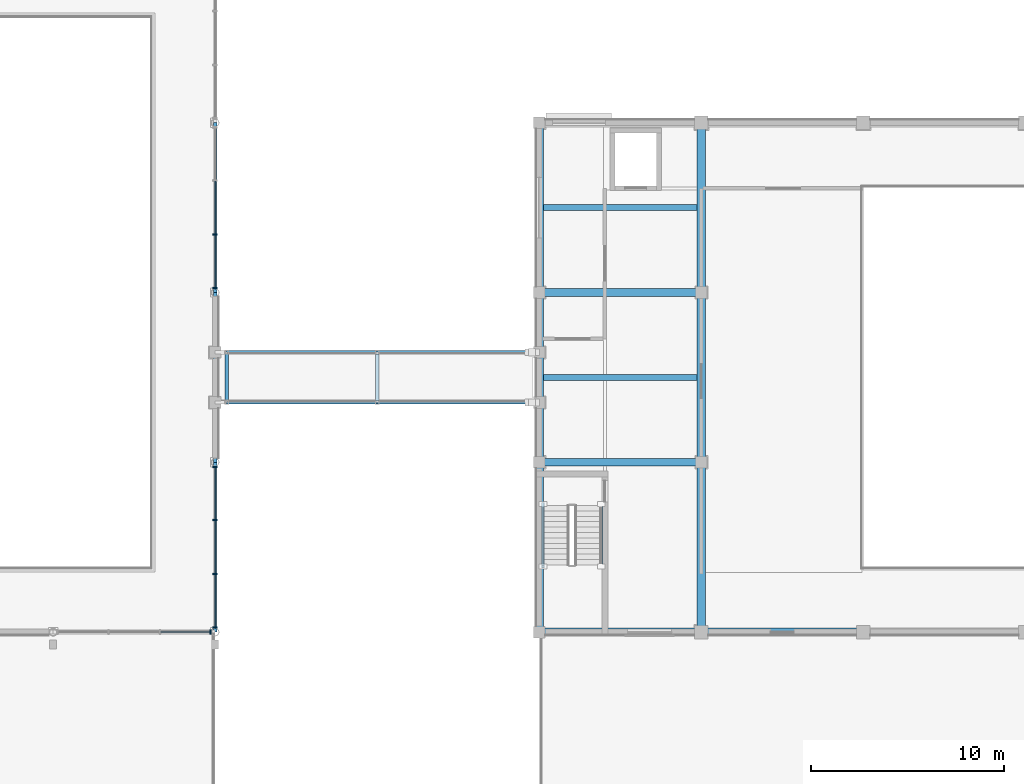
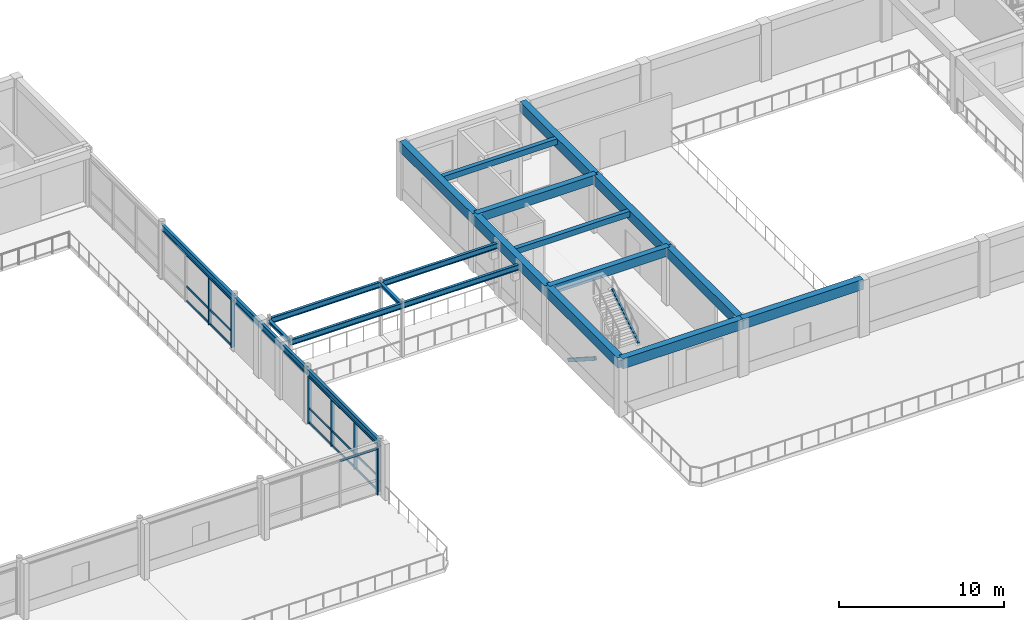
# One storey, part 13 of 57: 25 members, 21 beams, 3 elements without a shape of their own.
"""IFC4 building model written with IfcOpenShell, lengths in metres."""

import ifcopenshell
import ifcopenshell.guid

model = None  # the IFC model being written
_history = None  # IfcOwnerHistory: only IFC2X3 demands one
_inside = {}  # id of a spatial element -> (the spatial element, [elements in it])
_under = {}  # id of a project, library or spatial element -> (it, [spatial elements below it])
_declared = {}  # id of a project -> (the project, [libraries it declares])
_typed = {}  # id of a type object -> (the type object, [elements of that type])
_made_of = {}  # id of a material, layer set ... -> (it, [elements and type objects made of it])


def new_model(schema):
    """Start an empty IFC model of exactly this schema.

    Asked for "IFC4X3", IfcOpenShell would pick the latest addendum, in which some entities
    have other attributes; the version numbers below select the first issue.
    IFC2X3 requires an IfcOwnerHistory on every rooted entity: one is made here for all.
    """
    global model, _history
    if schema == "IFC4X3":
        model = ifcopenshell.file(schema_version=(4, 3, 0, 0))
    else:
        model = ifcopenshell.file(schema=schema)
    _inside.clear()
    _under.clear()
    _declared.clear()
    _typed.clear()
    _made_of.clear()
    _history = None
    if model.schema == "IFC2X3":
        org = make("IfcOrganization", Name="unknown")
        user = make(
            "IfcPersonAndOrganization",
            ThePerson=make("IfcPerson", FamilyName="unknown"),
            TheOrganization=org,
        )
        app = make(
            "IfcApplication",
            ApplicationDeveloper=org,
            Version="unknown",
            ApplicationFullName="unknown",
            ApplicationIdentifier="unknown",
        )
        _history = make(
            "IfcOwnerHistory",
            OwningUser=user,
            OwningApplication=app,
            ChangeAction="ADDED",
            CreationDate=0,
        )
    return model


def make(cls, **values):
    """One entity of the class cls with the attributes given. An attribute that is None is left unset."""
    return model.create_entity(
        cls, **{name: value for name, value in values.items() if value is not None}
    )


def rooted(cls, **values):
    """An entity with a GlobalId (a new one), such as an element, a storey or a relation."""
    return make(cls, GlobalId=ifcopenshell.guid.new(), OwnerHistory=_history, **values)


def si_unit(unit_type, name, prefix=None):
    """IfcSIUnit, for example si_unit("LENGTHUNIT", "METRE", prefix="MILLI")."""
    return make("IfcSIUnit", UnitType=unit_type, Prefix=prefix, Name=name)


def assignment(units):
    """IfcUnitAssignment: the units of a project."""
    return None if units is None else make("IfcUnitAssignment", Units=units)


def point(xyz):
    """IfcCartesianPoint."""
    return None if xyz is None else make("IfcCartesianPoint", Coordinates=xyz)


def direction(xyz):
    """IfcDirection."""
    return None if xyz is None else make("IfcDirection", DirectionRatios=xyz)


def frame(location, z_axis=None, x_axis=None):
    """IfcAxis2Placement3D, a coordinate frame: its origin and axes. An axis left out is left unset."""
    return make(
        "IfcAxis2Placement3D",
        Location=point(location),
        Axis=direction(z_axis),
        RefDirection=direction(x_axis),
    )


def frame_2d(location, x_axis=None):
    """IfcAxis2Placement2D, a coordinate frame in the plane: its origin and x axis."""
    return make(
        "IfcAxis2Placement2D", Location=point(location), RefDirection=direction(x_axis)
    )


def origin():
    """The frame at (0, 0, 0) with its axes left unset."""
    return frame((0.0, 0.0, 0.0))


def origin_2d():
    """The frame at (0, 0) in the plane with its x axis left unset."""
    return frame_2d((0.0, 0.0))


def place(relative_to, where):
    """IfcLocalPlacement: puts the frame where relative to a parent placement (None: the world)."""
    return make(
        "IfcLocalPlacement", PlacementRelTo=relative_to, RelativePlacement=where
    )


def context(
    kind, dimensions, precision=None, world=None, true_north=None, identifier=None
):
    """IfcGeometricRepresentationContext, for example the 3D "Model" context."""
    return make(
        "IfcGeometricRepresentationContext",
        ContextIdentifier=identifier,
        ContextType=kind,
        CoordinateSpaceDimension=dimensions,
        Precision=precision,
        WorldCoordinateSystem=world,
        TrueNorth=true_north,
    )


def subcontext(parent, identifier, kind, view, scale=None):
    """IfcGeometricRepresentationSubContext, for example "Body" below "Model"."""
    return make(
        "IfcGeometricRepresentationSubContext",
        ContextIdentifier=identifier,
        ContextType=kind,
        ParentContext=parent,
        TargetScale=scale,
        TargetView=view,
    )


def project(units=None, contexts=None):
    """IfcProject with its units and contexts."""
    return rooted(
        "IfcProject",
        Name="project",
        RepresentationContexts=contexts,
        UnitsInContext=assignment(units),
    )


def spatial(cls, under=None, at=None, **own):
    """A site, building, storey or space (cls), placed at a placement, below another one or the project."""
    s = rooted(cls, ObjectPlacement=at, **own)
    if under is not None:
        _under.setdefault(under.id(), (under, []))[1].append(s)
    return s


def profile(cls, at=None, kind="AREA", **sizes):
    """A parametric profile (cls). Its sizes go by their IFC names, for example OverallWidth=200.0."""
    return make(cls, ProfileType=kind, Position=at, **sizes)


def rectangle(**sizes):
    """IfcRectangleProfileDef."""
    return profile("IfcRectangleProfileDef", **sizes)


def hollow_rectangle(**sizes):
    """IfcRectangleHollowProfileDef."""
    return profile("IfcRectangleHollowProfileDef", **sizes)


def i_section(**sizes):
    """IfcIShapeProfileDef."""
    return profile("IfcIShapeProfileDef", **sizes)


def extrude(swept, where, along, depth):
    """IfcExtrudedAreaSolid: the profile swept, set in the frame where, extruded along a direction by depth."""
    return make(
        "IfcExtrudedAreaSolid",
        SweptArea=swept,
        Position=where,
        ExtrudedDirection=direction(along),
        Depth=depth,
    )


def shape(context_of_items, identifier, shape_type, items):
    """IfcShapeRepresentation: the items that make up one representation, for example the "Body"."""
    return make(
        "IfcShapeRepresentation",
        ContextOfItems=context_of_items,
        RepresentationIdentifier=identifier,
        RepresentationType=shape_type,
        Items=items,
    )


def material(Name=None, Category=None):
    """IfcMaterial."""
    return make("IfcMaterial", Name=Name, Category=Category)


def material_profile(
    of_material, cross_section, Name=None, Category=None, Priority=None
):
    """IfcMaterialProfile: a cross section and its material."""
    return make(
        "IfcMaterialProfile",
        Name=Name,
        Material=of_material,
        Profile=cross_section,
        Priority=Priority,
        Category=Category,
    )


def profile_set(profiles, Name=None, composite=None):
    """IfcMaterialProfileSet."""
    return make(
        "IfcMaterialProfileSet",
        Name=Name,
        MaterialProfiles=profiles,
        CompositeProfile=composite,
    )


def made_of(thing, what):
    """Note that an element or type object is made of a material, layer set ...; save() writes the relation."""
    if what is not None:
        _made_of.setdefault(what.id(), (what, []))[1].append(thing)
    return thing


def type_object(cls, material=None, **own):
    """A type object (cls), such as IfcWallType, which elements share."""
    return made_of(rooted(cls, **own), material)


def element(
    cls,
    number,
    at=None,
    inside=None,
    cuts=None,
    type_object=None,
    material=None,
    context=None,
    identifier="Body",
    shape_type=None,
    held_by="IfcProductDefinitionShape",
    body=None,
    shapes=None,
    **own,
):
    """One element of the class cls, such as IfcWall. Its Tag is "e" and its number.

    at: its placement. inside: the storey or other place that contains it. cuts: it is an
    opening in that element (IfcRelVoidsElement). A single representation is given by context,
    identifier, shape_type and body (its items); several are given by shapes. held_by: the class
    of the entity that holds the representations. save() writes the other relations.
    """
    e = rooted(cls, Tag="e%d" % number, ObjectPlacement=at, **own)
    if body is not None:
        shapes = [shape(context, identifier, shape_type, body)]
    if shapes is not None:
        e.Representation = make(held_by, Representations=shapes)
    if inside is not None:
        _inside.setdefault(inside.id(), (inside, []))[1].append(e)
    if cuts is not None:
        rooted(
            "IfcRelVoidsElement", RelatingBuildingElement=cuts, RelatedOpeningElement=e
        )
    if type_object is not None:
        _typed.setdefault(type_object.id(), (type_object, []))[1].append(e)
    return made_of(e, material)


def aggregate(whole, parts):
    """IfcRelAggregates: a whole, such as a stair, and the parts it consists of."""
    return rooted("IfcRelAggregates", RelatingObject=whole, RelatedObjects=parts)


def save(model, path):
    """Write the relations noted so far, then the file.

    IfcRelAggregates (storeys below a building ...), IfcRelContainedInSpatialStructure (elements
    in a storey), IfcRelDefinesByType, IfcRelAssociatesMaterial and IfcRelDeclares: one each for
    every whole, place, type object, material and project.
    """
    for whole, parts in _under.values():
        aggregate(whole, parts)
    for where, things in _inside.values():
        rooted(
            "IfcRelContainedInSpatialStructure",
            RelatedElements=things,
            RelatingStructure=where,
        )
    for kind, things in _typed.values():
        rooted("IfcRelDefinesByType", RelatedObjects=things, RelatingType=kind)
    for what, things in _made_of.values():
        rooted("IfcRelAssociatesMaterial", RelatedObjects=things, RelatingMaterial=what)
    for by, libraries in _declared.values():
        rooted("IfcRelDeclares", RelatingContext=by, RelatedDefinitions=libraries)
    model.write(path)


model = new_model("IFC4")

# Units and contexts
model_context = context("Model", 3, precision=1e-05, world=origin(), true_north=direction((0.0, 1.0)))
body_context = subcontext(model_context, "Body", "Model", "MODEL_VIEW")
ifc_project = project(units=[si_unit("LENGTHUNIT", "METRE"), si_unit("AREAUNIT", "SQUARE_METRE"), si_unit("VOLUMEUNIT", "CUBIC_METRE"), si_unit("PLANEANGLEUNIT", "RADIAN"), si_unit("MASSUNIT", "GRAM", prefix="KILO")], contexts=[model_context])

# Site, building, storey
site_placement = place(None, origin())
site = spatial("IfcSite", under=ifc_project, at=site_placement, CompositionType="ELEMENT")
building_placement = place(site_placement, origin())
building = spatial("IfcBuilding", under=site, at=building_placement, Name="Kemercrest Conservatory and Botanical Centre", CompositionType="ELEMENT")
storey_placement = place(building_placement, frame((0.0, 0.0, 4.800048828125)))
storey = spatial("IfcBuildingStorey", under=building, at=storey_placement, Name="L01", CompositionType="ELEMENT", Elevation=4.800048828125)

# Beams
ifc_material_1 = material(Name="Steel CSA G40.21 350W", Category="steel")
ifc_material_profile_1 = material_profile(ifc_material_1, i_section(OverallWidth=0.180908203125, OverallDepth=0.4169921875, WebThickness=0.010986328125, FlangeThickness=0.018310546875, FilletRadius=0.01611328125, at=origin_2d()), Name="W410X85")
ifc_profile_set_1 = profile_set([ifc_material_profile_1], Name="Steel CSA G40.21 350W")
beam_type_1 = type_object("IfcBeamType", Name="BM-LB410", PredefinedType="BEAM", material=ifc_profile_set_1)
for number, where, z_axis, x_axis, name in (
    (1, (42.199951171875, 28.699951171875, 3.761474609375), (1.0, 0.0, 0.0), (0.0, 1.0, 0.0), "Link bridge girder LB-01 SJ-1"),
    (2, (42.199951171875, 31.300048828125, 3.761474609375), (1.0, 0.0, 0.0), (0.0, 1.0, 0.0), "Link bridge girder LB-01 SJ-1"),
):
    element("IfcBeam", number, at=place(storey_placement, frame(where, z_axis=z_axis, x_axis=x_axis)), inside=storey, type_object=beam_type_1, Name=name, PredefinedType="BEAM", context=body_context, shape_type="SweptSolid", body=[
        extrude(i_section(OverallWidth=0.180908203125, OverallDepth=0.4169921875, WebThickness=0.010986328125, FlangeThickness=0.018310546875, FilletRadius=0.01611328125, at=origin_2d()), origin(), (0.0, 0.0, 1.0), 7.800048828125),
    ])
for number, where, z_axis, x_axis, name in (
    (3, (50.0, 28.699951171875, 3.761474609375), (1.0, 0.0, 0.0), (0.0, 1.0, 0.0), "Link bridge girder LB-01 SJ-1"),
    (4, (50.0, 31.300048828125, 3.761474609375), (1.0, 0.0, 0.0), (0.0, 1.0, 0.0), "Link bridge girder LB-01 SJ-1"),
):
    element("IfcBeam", number, at=place(storey_placement, frame(where, z_axis=z_axis, x_axis=x_axis)), inside=storey, type_object=beam_type_1, Name=name, PredefinedType="BEAM", context=body_context, shape_type="SweptSolid", body=[
        extrude(i_section(OverallWidth=0.180908203125, OverallDepth=0.4169921875, WebThickness=0.010986328125, FlangeThickness=0.018310546875, FilletRadius=0.01611328125, at=origin_2d()), origin(), (0.0, 0.0, 1.0), 8.25),
    ])
ifc_material_2 = material(Name="Concrete C40/50", Category="concrete")
ifc_material_profile_2 = material_profile(ifc_material_2, rectangle(XDim=0.39990234375, YDim=0.64990234375, at=origin_2d()), Name="RC 400x650")
ifc_profile_set_2 = profile_set([ifc_material_profile_2], Name="Concrete C40/50")
beam_type_2 = type_object("IfcBeamType", Name="BM-RC65", PredefinedType="BEAM", material=ifc_profile_set_2)
for number, where, z_axis, x_axis, name in (
    (5, (58.39990234375, 25.60009765625, 3.875), (1.0, 0.0, 0.0), (0.0, 1.0, 0.0), "V2W-L02 beam BM-RC65 C/07-08"),
    (6, (58.39990234375, 34.39990234375, 3.875), (1.0, 0.0, 0.0), (0.0, 1.0, 0.0), "V2W-L02 beam BM-RC65 D/07-08"),
):
    element("IfcBeam", number, at=place(storey_placement, frame(where, z_axis=z_axis, x_axis=x_axis)), inside=storey, type_object=beam_type_2, Name=name, PredefinedType="BEAM", context=body_context, shape_type="SweptSolid", body=[
        extrude(rectangle(XDim=0.39990234375, YDim=0.64990234375, at=origin_2d()), origin(), (0.0, 0.0, 1.0), 8.400146484375),
    ])
ifc_material_profile_3 = material_profile(ifc_material_1, i_section(OverallWidth=0.194091796875, OverallDepth=0.468994140625, WebThickness=0.0126953125, FlangeThickness=0.0205078125, FilletRadius=0.01806640625, at=origin_2d()), Name="W460X106")
ifc_profile_set_3 = profile_set([ifc_material_profile_3], Name="Steel CSA G40.21 350W")
beam_type_3 = type_object("IfcBeamType", Name="BM-W460E", PredefinedType="BEAM", material=ifc_profile_set_3)
beam_1_placement = place(storey_placement, frame((41.60009765625, 16.800048828125, 3.725341796875), z_axis=(0.0, 1.0, 0.0), x_axis=(-1.0, 0.0, 0.0)))
element("IfcBeam", 7, at=beam_1_placement, inside=storey, type_object=beam_type_3, Name="Conservatory glasshouse perimeter wind girt", PredefinedType="BEAM", context=body_context, shape_type="SweptSolid", body=[
    extrude(i_section(OverallWidth=0.194091796875, OverallDepth=0.468994140625, WebThickness=0.0126953125, FlangeThickness=0.0205078125, FilletRadius=0.01806640625, at=origin_2d()), origin(), (0.0, 0.0, 1.0), 8.800048828125),
])
beam_2_placement = place(storey_placement, frame((41.60009765625, 25.60009765625, 3.725341796875), z_axis=(0.0, 1.0, 0.0), x_axis=(-1.0, 0.0, 0.0)))
element("IfcBeam", 8, at=beam_2_placement, inside=storey, type_object=beam_type_3, Name="Conservatory glasshouse perimeter wind girt", PredefinedType="BEAM", context=body_context, shape_type="SweptSolid", body=[
    extrude(i_section(OverallWidth=0.194091796875, OverallDepth=0.468994140625, WebThickness=0.0126953125, FlangeThickness=0.0205078125, FilletRadius=0.01806640625, at=origin_2d()), origin(), (0.0, 0.0, 1.0), 8.7998046875),
])
beam_3_placement = place(storey_placement, frame((41.60009765625, 34.39990234375, 3.725341796875), z_axis=(0.0, 1.0, 0.0), x_axis=(-1.0, 0.0, 0.0)))
element("IfcBeam", 9, at=beam_3_placement, inside=storey, type_object=beam_type_3, Name="Conservatory glasshouse perimeter wind girt", PredefinedType="BEAM", context=body_context, shape_type="SweptSolid", body=[
    extrude(i_section(OverallWidth=0.194091796875, OverallDepth=0.468994140625, WebThickness=0.0126953125, FlangeThickness=0.0205078125, FilletRadius=0.01806640625, at=origin_2d()), origin(), (0.0, 0.0, 1.0), 8.800048828125),
])

# Curtain wall, member
ifc_material_3 = material(Name="Thermally broken aluminium and triple low-e glazing", Category="aluminium")
curtain_wall_type_1 = type_object("IfcCurtainWallType", Name="CW-10", PredefinedType="USERDEFINED", material=ifc_material_3)
curtain_wall_1_placement = place(storey_placement, origin())
curtain_wall_1 = element("IfcCurtainWall", 10, at=curtain_wall_1_placement, inside=storey, type_object=curtain_wall_type_1, Name="Unitised curtain wall CW-10 (CW:L01:V1-009)", ObjectType="UNITISED CURTAIN WALL", PredefinedType="USERDEFINED")
ifc_material_4 = material(Name="Thermally broken anodized aluminium 6063-T6", Category="aluminium")
ifc_material_profile_4 = material_profile(ifc_material_4, rectangle(XDim=0.239990234375, YDim=0.074951171875, at=origin_2d()), Name="AL MULLION 75x240")
ifc_profile_set_4 = profile_set([ifc_material_profile_4], Name="Thermally broken anodized aluminium 6063-T6")
member_type_1 = type_object("IfcMemberType", Name="CW-M225", PredefinedType="MULLION", material=ifc_profile_set_4)
member_1_placement = place(storey_placement, frame((41.362548828125, 16.800048828125, 0.0), z_axis=(0.0, 0.0, 1.0), x_axis=(0.0, 1.0, 0.0)))
member_1 = element("IfcMember", 11, at=member_1_placement, type_object=member_type_1, Name="CW-10 mullion 4", PredefinedType="MULLION", context=body_context, shape_type="SweptSolid", body=[
    extrude(rectangle(XDim=0.239990234375, YDim=0.074951171875, at=origin_2d()), origin(), (0.0, 0.0, 1.0), 3.495849609375),
])

# Curtain wall, members
curtain_wall_type_2 = type_object("IfcCurtainWallType", Name="CW-11", PredefinedType="USERDEFINED", material=ifc_material_3)
curtain_wall_2_placement = place(storey_placement, origin())
curtain_wall_2 = element("IfcCurtainWall", 12, at=curtain_wall_2_placement, inside=storey, type_object=curtain_wall_type_2, Name="Unitised curtain wall CW-11 (CW:L01:V1-010)", ObjectType="UNITISED CURTAIN WALL", PredefinedType="USERDEFINED")
member_2_placement = place(storey_placement, frame((41.60009765625, 17.03759765625, 0.0), z_axis=(0.0, 0.0, 1.0), x_axis=(-1.0, 0.0, 0.0)))
member_2 = element("IfcMember", 13, at=member_2_placement, type_object=member_type_1, Name="CW-11 mullion 1", PredefinedType="MULLION", context=body_context, shape_type="SweptSolid", body=[
    extrude(rectangle(XDim=0.239990234375, YDim=0.074951171875, at=origin_2d()), origin(), (0.0, 0.0, 1.0), 3.495849609375),
])
member_3_placement = place(storey_placement, frame((41.60009765625, 19.800048828125, 0.0), z_axis=(0.0, 0.0, 1.0), x_axis=(-1.0, 0.0, 0.0)))
member_3 = element("IfcMember", 14, at=member_3_placement, type_object=member_type_1, Name="CW-11 mullion 2", PredefinedType="MULLION", context=body_context, shape_type="SweptSolid", body=[
    extrude(rectangle(XDim=0.239990234375, YDim=0.074951171875, at=origin_2d()), origin(), (0.0, 0.0, 1.0), 3.495849609375),
])
member_4_placement = place(storey_placement, frame((41.60009765625, 22.60009765625, 0.0), z_axis=(0.0, 0.0, 1.0), x_axis=(-1.0, 0.0, 0.0)))
member_4 = element("IfcMember", 15, at=member_4_placement, type_object=member_type_1, Name="CW-11 mullion 3", PredefinedType="MULLION", context=body_context, shape_type="SweptSolid", body=[
    extrude(rectangle(XDim=0.239990234375, YDim=0.074951171875, at=origin_2d()), origin(), (0.0, 0.0, 1.0), 3.495849609375),
])
member_5_placement = place(storey_placement, frame((41.60009765625, 25.362548828125, 0.0), z_axis=(0.0, 0.0, 1.0), x_axis=(-1.0, 0.0, 0.0)))
member_5 = element("IfcMember", 16, at=member_5_placement, type_object=member_type_1, Name="CW-11 mullion 4", PredefinedType="MULLION", context=body_context, shape_type="SweptSolid", body=[
    extrude(rectangle(XDim=0.239990234375, YDim=0.074951171875, at=origin_2d()), origin(), (0.0, 0.0, 1.0), 3.495849609375),
])

curtain_wall_type_3 = type_object("IfcCurtainWallType", Name="CW-12", PredefinedType="USERDEFINED", material=ifc_material_3)
curtain_wall_3_placement = place(storey_placement, origin())
curtain_wall_3 = element("IfcCurtainWall", 17, at=curtain_wall_3_placement, inside=storey, type_object=curtain_wall_type_3, Name="Unitised curtain wall CW-12 (CW:L01:V1-011)", ObjectType="UNITISED CURTAIN WALL", PredefinedType="USERDEFINED")
member_6_placement = place(storey_placement, frame((41.60009765625, 34.637451171875, 0.0), z_axis=(0.0, 0.0, 1.0), x_axis=(-1.0, 0.0, 0.0)))
member_6 = element("IfcMember", 18, at=member_6_placement, type_object=member_type_1, Name="CW-12 mullion 1", PredefinedType="MULLION", context=body_context, shape_type="SweptSolid", body=[
    extrude(rectangle(XDim=0.239990234375, YDim=0.074951171875, at=origin_2d()), origin(), (0.0, 0.0, 1.0), 3.495849609375),
])
member_7_placement = place(storey_placement, frame((41.60009765625, 37.39990234375, 0.0), z_axis=(0.0, 0.0, 1.0), x_axis=(-1.0, 0.0, 0.0)))
member_7 = element("IfcMember", 19, at=member_7_placement, type_object=member_type_1, Name="CW-12 mullion 2", PredefinedType="MULLION", context=body_context, shape_type="SweptSolid", body=[
    extrude(rectangle(XDim=0.239990234375, YDim=0.074951171875, at=origin_2d()), origin(), (0.0, 0.0, 1.0), 3.495849609375),
])

# Member
ifc_material_profile_5 = material_profile(ifc_material_4, rectangle(XDim=0.06494140625, YDim=0.14990234375, at=origin_2d()), Name="AL TRANSOM 65x150")
ifc_profile_set_5 = profile_set([ifc_material_profile_5], Name="Thermally broken anodized aluminium 6063-T6")
member_type_2 = type_object("IfcMemberType", Name="CW-T200", PredefinedType="USERDEFINED", material=ifc_profile_set_5)
member_8_placement = place(storey_placement, frame((38.770751953125, 16.800048828125, 3.4208984375), z_axis=(1.0, 0.0, 0.0), x_axis=(0.0, 1.0, 0.0)))
member_8 = element("IfcMember", 20, at=member_8_placement, type_object=member_type_2, Name="CW-10 transom 3.3", ObjectType="TRANSOM", PredefinedType="USERDEFINED", context=body_context, shape_type="SweptSolid", body=[
    extrude(rectangle(XDim=0.06494140625, YDim=0.14990234375, at=origin_2d()), origin(), (0.0, 0.0, 1.0), 2.55419921875),
])

aggregate(curtain_wall_1, [member_1, member_8])

member_9_placement = place(storey_placement, frame((41.60009765625, 17.074951171875, 0.074951171875), z_axis=(0.0, 1.0, 0.0), x_axis=(-1.0, 0.0, 0.0)))
member_9 = element("IfcMember", 21, at=member_9_placement, type_object=member_type_2, Name="CW-11 transom 1.1", ObjectType="TRANSOM", PredefinedType="USERDEFINED", context=body_context, shape_type="SweptSolid", body=[
    extrude(rectangle(XDim=0.06494140625, YDim=0.14990234375, at=origin_2d()), origin(), (0.0, 0.0, 1.0), 2.6875),
])

member_10_placement = place(storey_placement, frame((41.60009765625, 17.074951171875, 1.119873046875), z_axis=(0.0, 1.0, 0.0), x_axis=(-1.0, 0.0, 0.0)))
member_10 = element("IfcMember", 22, at=member_10_placement, type_object=member_type_2, Name="CW-11 transom 1.2", ObjectType="TRANSOM", PredefinedType="USERDEFINED", context=body_context, shape_type="SweptSolid", body=[
    extrude(rectangle(XDim=0.06494140625, YDim=0.14990234375, at=origin_2d()), origin(), (0.0, 0.0, 1.0), 2.6875),
])

member_11_placement = place(storey_placement, frame((41.60009765625, 17.074951171875, 3.4208984375), z_axis=(0.0, 1.0, 0.0), x_axis=(-1.0, 0.0, 0.0)))
member_11 = element("IfcMember", 23, at=member_11_placement, type_object=member_type_2, Name="CW-11 transom 1.3", ObjectType="TRANSOM", PredefinedType="USERDEFINED", context=body_context, shape_type="SweptSolid", body=[
    extrude(rectangle(XDim=0.06494140625, YDim=0.14990234375, at=origin_2d()), origin(), (0.0, 0.0, 1.0), 2.6875),
])

member_12_placement = place(storey_placement, frame((41.60009765625, 19.83740234375, 0.074951171875), z_axis=(0.0, 1.0, 0.0), x_axis=(-1.0, 0.0, 0.0)))
member_12 = element("IfcMember", 24, at=member_12_placement, type_object=member_type_2, Name="CW-11 transom 2.1", ObjectType="TRANSOM", PredefinedType="USERDEFINED", context=body_context, shape_type="SweptSolid", body=[
    extrude(rectangle(XDim=0.06494140625, YDim=0.14990234375, at=origin_2d()), origin(), (0.0, 0.0, 1.0), 2.72509765625),
])

member_13_placement = place(storey_placement, frame((41.60009765625, 19.83740234375, 1.119873046875), z_axis=(0.0, 1.0, 0.0), x_axis=(-1.0, 0.0, 0.0)))
member_13 = element("IfcMember", 25, at=member_13_placement, type_object=member_type_2, Name="CW-11 transom 2.2", ObjectType="TRANSOM", PredefinedType="USERDEFINED", context=body_context, shape_type="SweptSolid", body=[
    extrude(rectangle(XDim=0.06494140625, YDim=0.14990234375, at=origin_2d()), origin(), (0.0, 0.0, 1.0), 2.72509765625),
])

member_14_placement = place(storey_placement, frame((41.60009765625, 19.83740234375, 3.4208984375), z_axis=(0.0, 1.0, 0.0), x_axis=(-1.0, 0.0, 0.0)))
member_14 = element("IfcMember", 26, at=member_14_placement, type_object=member_type_2, Name="CW-11 transom 2.3", ObjectType="TRANSOM", PredefinedType="USERDEFINED", context=body_context, shape_type="SweptSolid", body=[
    extrude(rectangle(XDim=0.06494140625, YDim=0.14990234375, at=origin_2d()), origin(), (0.0, 0.0, 1.0), 2.72509765625),
])

member_15_placement = place(storey_placement, frame((41.60009765625, 22.637451171875, 0.074951171875), z_axis=(0.0, 1.0, 0.0), x_axis=(-1.0, 0.0, 0.0)))
member_15 = element("IfcMember", 27, at=member_15_placement, type_object=member_type_2, Name="CW-11 transom 3.1", ObjectType="TRANSOM", PredefinedType="USERDEFINED", context=body_context, shape_type="SweptSolid", body=[
    extrude(rectangle(XDim=0.06494140625, YDim=0.14990234375, at=origin_2d()), origin(), (0.0, 0.0, 1.0), 2.6875),
])

member_16_placement = place(storey_placement, frame((41.60009765625, 22.637451171875, 1.119873046875), z_axis=(0.0, 1.0, 0.0), x_axis=(-1.0, 0.0, 0.0)))
member_16 = element("IfcMember", 28, at=member_16_placement, type_object=member_type_2, Name="CW-11 transom 3.2", ObjectType="TRANSOM", PredefinedType="USERDEFINED", context=body_context, shape_type="SweptSolid", body=[
    extrude(rectangle(XDim=0.06494140625, YDim=0.14990234375, at=origin_2d()), origin(), (0.0, 0.0, 1.0), 2.6875),
])

member_17_placement = place(storey_placement, frame((41.60009765625, 22.637451171875, 3.4208984375), z_axis=(0.0, 1.0, 0.0), x_axis=(-1.0, 0.0, 0.0)))
member_17 = element("IfcMember", 29, at=member_17_placement, type_object=member_type_2, Name="CW-11 transom 3.3", ObjectType="TRANSOM", PredefinedType="USERDEFINED", context=body_context, shape_type="SweptSolid", body=[
    extrude(rectangle(XDim=0.06494140625, YDim=0.14990234375, at=origin_2d()), origin(), (0.0, 0.0, 1.0), 2.6875),
])

aggregate(curtain_wall_2, [member_2, member_3, member_4, member_5, member_9, member_10, member_11, member_12, member_13, member_14, member_15, member_16, member_17])

member_18_placement = place(storey_placement, frame((41.60009765625, 34.675048828125, 0.074951171875), z_axis=(0.0, 1.0, 0.0), x_axis=(-1.0, 0.0, 0.0)))
member_18 = element("IfcMember", 30, at=member_18_placement, type_object=member_type_2, Name="CW-12 transom 1.1", ObjectType="TRANSOM", PredefinedType="USERDEFINED", context=body_context, shape_type="SweptSolid", body=[
    extrude(rectangle(XDim=0.06494140625, YDim=0.14990234375, at=origin_2d()), origin(), (0.0, 0.0, 1.0), 2.6875),
])

member_19_placement = place(storey_placement, frame((41.60009765625, 34.675048828125, 1.119873046875), z_axis=(0.0, 1.0, 0.0), x_axis=(-1.0, 0.0, 0.0)))
member_19 = element("IfcMember", 31, at=member_19_placement, type_object=member_type_2, Name="CW-12 transom 1.2", ObjectType="TRANSOM", PredefinedType="USERDEFINED", context=body_context, shape_type="SweptSolid", body=[
    extrude(rectangle(XDim=0.06494140625, YDim=0.14990234375, at=origin_2d()), origin(), (0.0, 0.0, 1.0), 2.6875),
])

member_20_placement = place(storey_placement, frame((41.60009765625, 34.675048828125, 3.4208984375), z_axis=(0.0, 1.0, 0.0), x_axis=(-1.0, 0.0, 0.0)))
member_20 = element("IfcMember", 32, at=member_20_placement, type_object=member_type_2, Name="CW-12 transom 1.3", ObjectType="TRANSOM", PredefinedType="USERDEFINED", context=body_context, shape_type="SweptSolid", body=[
    extrude(rectangle(XDim=0.06494140625, YDim=0.14990234375, at=origin_2d()), origin(), (0.0, 0.0, 1.0), 2.6875),
])

member_21_placement = place(storey_placement, frame((41.60009765625, 37.4375, 0.074951171875), z_axis=(0.0, 1.0, 0.0), x_axis=(-1.0, 0.0, 0.0)))
member_21 = element("IfcMember", 33, at=member_21_placement, type_object=member_type_2, Name="CW-12 transom 2.1", ObjectType="TRANSOM", PredefinedType="USERDEFINED", context=body_context, shape_type="SweptSolid", body=[
    extrude(rectangle(XDim=0.06494140625, YDim=0.14990234375, at=origin_2d()), origin(), (0.0, 0.0, 1.0), 2.72509765625),
])

member_22_placement = place(storey_placement, frame((41.60009765625, 37.4375, 1.119873046875), z_axis=(0.0, 1.0, 0.0), x_axis=(-1.0, 0.0, 0.0)))
member_22 = element("IfcMember", 34, at=member_22_placement, type_object=member_type_2, Name="CW-12 transom 2.2", ObjectType="TRANSOM", PredefinedType="USERDEFINED", context=body_context, shape_type="SweptSolid", body=[
    extrude(rectangle(XDim=0.06494140625, YDim=0.14990234375, at=origin_2d()), origin(), (0.0, 0.0, 1.0), 2.72509765625),
])

member_23_placement = place(storey_placement, frame((41.60009765625, 37.4375, 3.4208984375), z_axis=(0.0, 1.0, 0.0), x_axis=(-1.0, 0.0, 0.0)))
member_23 = element("IfcMember", 35, at=member_23_placement, type_object=member_type_2, Name="CW-12 transom 2.3", ObjectType="TRANSOM", PredefinedType="USERDEFINED", context=body_context, shape_type="SweptSolid", body=[
    extrude(rectangle(XDim=0.06494140625, YDim=0.14990234375, at=origin_2d()), origin(), (0.0, 0.0, 1.0), 2.72509765625),
])

aggregate(curtain_wall_3, [member_6, member_7, member_18, member_19, member_20, member_21, member_22, member_23])

# Beams
ifc_material_profile_6 = material_profile(ifc_material_2, rectangle(XDim=0.300048828125, YDim=0.419921875, at=origin_2d()), Name="RC 300x420")
ifc_profile_set_6 = profile_set([ifc_material_profile_6], Name="Concrete C40/50")
beam_type_4 = type_object("IfcBeamType", Name="JS-RC42", PredefinedType="JOIST", material=ifc_profile_set_6)
for number, where, z_axis, x_axis, name in (
    (36, (58.625, 30.0, 3.989990234375), (1.0, 0.0, 0.0), (0.0, 1.0, 0.0), "V2W-L02 secondary joist JS-RC42"),
    (37, (58.625, 38.800048828125, 3.989990234375), (1.0, 0.0, 0.0), (0.0, 1.0, 0.0), "V2W-L02 secondary joist JS-RC42"),
):
    element("IfcBeam", number, at=place(storey_placement, frame(where, z_axis=z_axis, x_axis=x_axis)), inside=storey, type_object=beam_type_4, Name=name, PredefinedType="JOIST", context=body_context, shape_type="SweptSolid", body=[
        extrude(rectangle(XDim=0.300048828125, YDim=0.419921875, at=origin_2d()), origin(), (0.0, 0.0, 1.0), 7.949951171875),
    ])
ifc_material_profile_7 = material_profile(ifc_material_1, i_section(OverallWidth=0.202880859375, OverallDepth=0.251953125, WebThickness=0.008056640625, FlangeThickness=0.013427734375, FilletRadius=0.010986328125, at=origin_2d()), Name="W250X58")
ifc_profile_set_7 = profile_set([ifc_material_profile_7], Name="Steel CSA G40.21 350W")
beam_type_5 = type_object("IfcBeamType", Name="JS-W250", PredefinedType="JOIST", material=ifc_profile_set_7)
for number, where, z_axis, x_axis, name in (
    (38, (42.199951171875, 28.79052734375, 3.761474609375), (0.0, 1.0, 0.0), (-1.0, 0.0, 0.0), "Link bridge cross beam SJ-1"),
    (39, (50.0, 28.79052734375, 3.761474609375), (0.0, 1.0, 0.0), (-1.0, 0.0, 0.0), "Link bridge cross beam SJ-1"),
):
    element("IfcBeam", number, at=place(storey_placement, frame(where, z_axis=z_axis, x_axis=x_axis)), inside=storey, type_object=beam_type_5, Name=name, PredefinedType="JOIST", context=body_context, shape_type="SweptSolid", body=[
        extrude(i_section(OverallWidth=0.202880859375, OverallDepth=0.251953125, WebThickness=0.008056640625, FlangeThickness=0.013427734375, FilletRadius=0.010986328125, at=origin_2d()), origin(), (0.0, 0.0, 1.0), 2.4189453125),
    ])
ifc_material_profile_8 = material_profile(ifc_material_2, rectangle(XDim=0.449951171875, YDim=0.75, at=origin_2d()), Name="RC 450x750")
ifc_profile_set_8 = profile_set([ifc_material_profile_8], Name="Concrete C40/50")
beam_type_6 = type_object("IfcBeamType", Name="SP-RC75", PredefinedType="SPANDREL", material=ifc_profile_set_8)
beam_4_placement = place(storey_placement, frame((58.39990234375, 16.800048828125, 3.824951171875), z_axis=(1.0, 0.0, 0.0), x_axis=(0.0, 1.0, 0.0)))
element("IfcBeam", 40, at=beam_4_placement, inside=storey, type_object=beam_type_6, Name="V2W-L02 beam SP-RC75 B/07-08", PredefinedType="SPANDREL", context=body_context, shape_type="SweptSolid", body=[
    extrude(rectangle(XDim=0.449951171875, YDim=0.75, at=origin_2d()), origin(), (0.0, 0.0, 1.0), 8.400146484375),
])
beam_5_placement = place(storey_placement, frame((58.39990234375, 16.800048828125, 3.824951171875), z_axis=(0.0, 1.0, 0.0), x_axis=(-1.0, 0.0, 0.0)))
element("IfcBeam", 41, at=beam_5_placement, inside=storey, type_object=beam_type_6, Name="V2W-L02 beam SP-RC75 07/B-C", PredefinedType="SPANDREL", context=body_context, shape_type="SweptSolid", body=[
    extrude(rectangle(XDim=0.449951171875, YDim=0.75, at=origin_2d()), origin(), (0.0, 0.0, 1.0), 8.800048828125),
])
beam_6_placement = place(storey_placement, frame((58.39990234375, 25.60009765625, 3.824951171875), z_axis=(0.0, 1.0, 0.0), x_axis=(-1.0, 0.0, 0.0)))
element("IfcBeam", 42, at=beam_6_placement, inside=storey, type_object=beam_type_6, Name="V2W-L02 beam SP-RC75 07/C-D", PredefinedType="SPANDREL", context=body_context, shape_type="SweptSolid", body=[
    extrude(rectangle(XDim=0.449951171875, YDim=0.75, at=origin_2d()), origin(), (0.0, 0.0, 1.0), 8.7998046875),
])
for number, where, z_axis, x_axis, name in (
    (43, (58.39990234375, 34.39990234375, 3.824951171875), (0.0, 1.0, 0.0), (-1.0, 0.0, 0.0), "V2W-L02 beam SP-RC75 07/D-E"),
    (44, (66.800048828125, 16.800048828125, 3.824951171875), (0.0, 1.0, 0.0), (-1.0, 0.0, 0.0), "V2W-L02 beam SP-RC75 08/B-C"),
):
    element("IfcBeam", number, at=place(storey_placement, frame(where, z_axis=z_axis, x_axis=x_axis)), inside=storey, type_object=beam_type_6, Name=name, PredefinedType="SPANDREL", context=body_context, shape_type="SweptSolid", body=[
        extrude(rectangle(XDim=0.449951171875, YDim=0.75, at=origin_2d()), origin(), (0.0, 0.0, 1.0), 8.800048828125),
    ])
beam_7_placement = place(storey_placement, frame((66.800048828125, 25.60009765625, 3.824951171875), z_axis=(0.0, 1.0, 0.0), x_axis=(-1.0, 0.0, 0.0)))
element("IfcBeam", 45, at=beam_7_placement, inside=storey, type_object=beam_type_6, Name="V2W-L02 beam SP-RC75 08/C-D", PredefinedType="SPANDREL", context=body_context, shape_type="SweptSolid", body=[
    extrude(rectangle(XDim=0.449951171875, YDim=0.75, at=origin_2d()), origin(), (0.0, 0.0, 1.0), 8.7998046875),
])
beam_8_placement = place(storey_placement, frame((66.800048828125, 34.39990234375, 3.824951171875), z_axis=(0.0, 1.0, 0.0), x_axis=(-1.0, 0.0, 0.0)))
element("IfcBeam", 46, at=beam_8_placement, inside=storey, type_object=beam_type_6, Name="V2W-L02 beam SP-RC75 08/D-E", PredefinedType="SPANDREL", context=body_context, shape_type="SweptSolid", body=[
    extrude(rectangle(XDim=0.449951171875, YDim=0.75, at=origin_2d()), origin(), (0.0, 0.0, 1.0), 8.800048828125),
])
beam_9_placement = place(storey_placement, frame((66.800048828125, 16.800048828125, 3.824951171875), z_axis=(1.0, 0.0, 0.0), x_axis=(0.0, 1.0, 0.0)))
element("IfcBeam", 47, at=beam_9_placement, inside=storey, type_object=beam_type_6, Name="Auditorium perimeter spandrel beam", PredefinedType="SPANDREL", context=body_context, shape_type="SweptSolid", body=[
    extrude(rectangle(XDim=0.449951171875, YDim=0.75, at=origin_2d()), origin(), (0.0, 0.0, 1.0), 8.39990234375),
])

# Members
ifc_material_profile_9 = material_profile(ifc_material_1, hollow_rectangle(XDim=0.15234375, YDim=0.25390625, WallThickness=0.009521484375, InnerFilletRadius=0.009521484375, OuterFilletRadius=0.01904296875, at=origin_2d()), Name="HSS 254x152x9.5")
ifc_profile_set_9 = profile_set([ifc_material_profile_9], Name="Steel CSA G40.21 350W")
member_type_3 = type_object("IfcMemberType", Name="SR-STR254", PredefinedType="STRINGER", material=ifc_profile_set_9)
member_24_placement = place(storey_placement, frame((58.590087890625, 23.43994140625, -0.10009765625), z_axis=(0.0, -0.84150589802, 0.540247927898), x_axis=(1.0, 0.0, 0.0)))
element("IfcMember", 48, at=member_24_placement, inside=storey, type_object=member_type_3, Name="Stair ST-V2A steel stringer #13", PredefinedType="STRINGER", context=body_context, shape_type="SweptSolid", body=[
    extrude(hollow_rectangle(XDim=0.15234375, YDim=0.25390625, WallThickness=0.009521484375, InnerFilletRadius=0.009521484375, OuterFilletRadius=0.01904296875, at=origin_2d()), origin(), (0.0, 0.0, 1.0), 3.850341796875),
])
member_25_placement = place(storey_placement, frame((61.610107421875, 23.43994140625, 4.079833984375), z_axis=(0.0, -0.841534725098, -0.540203023367), x_axis=(1.0, 0.0, 0.0)))
element("IfcMember", 49, at=member_25_placement, inside=storey, type_object=member_type_3, Name="Stair ST-V2A steel stringer #14", PredefinedType="STRINGER", context=body_context, shape_type="SweptSolid", body=[
    extrude(hollow_rectangle(XDim=0.15234375, YDim=0.25390625, WallThickness=0.009521484375, InnerFilletRadius=0.009521484375, OuterFilletRadius=0.01904296875, at=origin_2d()), origin(), (0.0, 0.0, 1.0), 3.85009765625),
])

save(model, "model.ifc")
